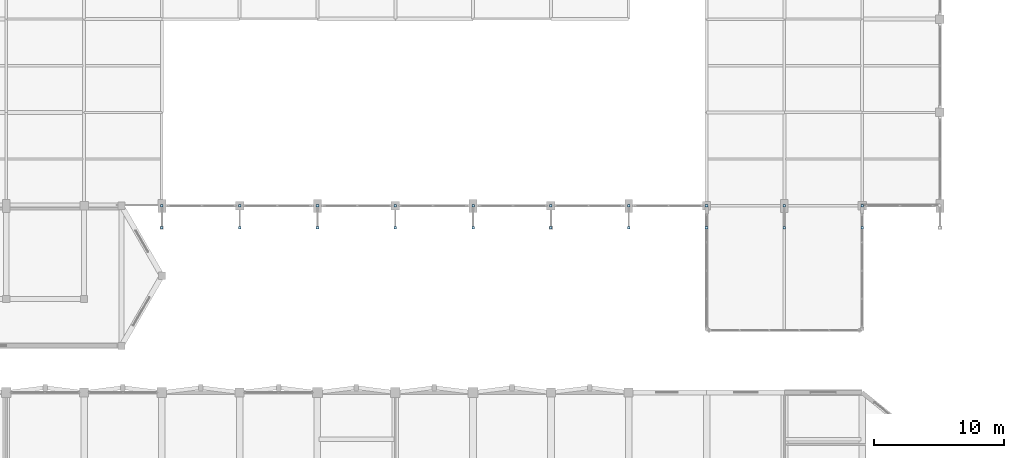
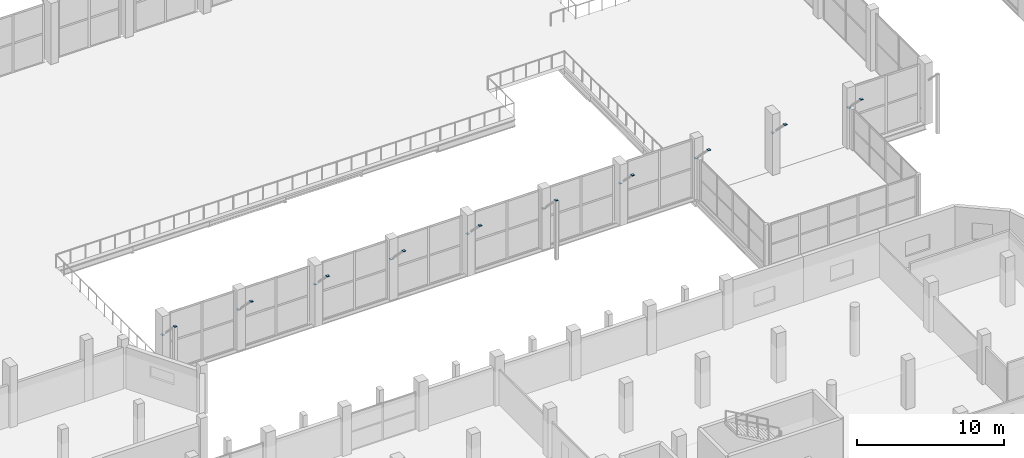
# One storey, part 100 of 127: 20 plates.
"""IFC4 building model written with IfcOpenShell, lengths in metres."""

from ifc_helpers import new_model, si_unit, direction, frame, origin, origin_2d, place, context, subcontext, project, spatial, rectangle, extrude, material, layer, layer_set, type_object, element, save


model = new_model("IFC4")

# Units and contexts
model_context = context("Model", 3, precision=1e-05, world=origin(), true_north=direction((0.0, 1.0)))
body_context = subcontext(model_context, "Body", "Model", "MODEL_VIEW")
ifc_project = project(units=[si_unit("LENGTHUNIT", "METRE"), si_unit("AREAUNIT", "SQUARE_METRE"), si_unit("VOLUMEUNIT", "CUBIC_METRE"), si_unit("PLANEANGLEUNIT", "RADIAN"), si_unit("MASSUNIT", "GRAM", prefix="KILO")], contexts=[model_context])

# Site, building, storey
site_placement = place(None, origin())
site = spatial("IfcSite", under=ifc_project, at=site_placement, CompositionType="ELEMENT")
building_placement = place(site_placement, origin())
building = spatial("IfcBuilding", under=site, at=building_placement, Name="Dunvalen Ferry Terminal", CompositionType="ELEMENT")
storey_placement = place(building_placement, frame((0.0, 0.0, 5.760009765625)))
storey = spatial("IfcBuildingStorey", under=building, at=storey_placement, Name="L01", CompositionType="ELEMENT", Elevation=5.760009765625)

# Plates
ifc_material = material(Name="Steel S355", Category="steel")
ifc_layer_1 = layer(ifc_material, 0.02001953125, Name="Steel S355")
ifc_layer_set_1 = layer_set([ifc_layer_1], Name="Steel S355")
plate_type_1 = type_object("IfcPlateType", Name="STR-PL-GUSSET-01", PredefinedType="USERDEFINED", material=ifc_layer_set_1)
for number, where, z_axis, x_axis, name in (
    (1, (36.0, 50.39990234375, 3.179931640625), (0.0, 0.0, 1.0), (1.0, 0.0, 0.0), "L01 Brace-Strut End Cleat Plate 111"),
    (2, (42.0, 50.39990234375, 3.179931640625), (0.0, 0.0, 1.0), (1.0, 0.0, 0.0), "L01 Brace-Strut End Cleat Plate 113"),
    (3, (48.0, 50.39990234375, 3.179931640625), (0.0, 0.0, 1.0), (1.0, 0.0, 0.0), "L01 Brace-Strut End Cleat Plate 117"),
    (4, (54.0, 50.39990234375, 3.179931640625), (0.0, 0.0, 1.0), (1.0, 0.0, 0.0), "L01 Brace-Strut End Cleat Plate 121"),
    (5, (60.0, 50.39990234375, 3.179931640625), (0.0, 0.0, 1.0), (1.0, 0.0, 0.0), "L01 Brace-Strut End Cleat Plate 125"),
    (6, (66.0, 50.39990234375, 3.179931640625), (0.0, 0.0, 1.0), (1.0, 0.0, 0.0), "L01 Brace-Strut End Cleat Plate 129"),
    (7, (72.0, 50.39990234375, 3.179931640625), (0.0, 0.0, 1.0), (1.0, 0.0, 0.0), "L01 Brace-Strut End Cleat Plate 133"),
    (8, (78.0, 50.39990234375, 3.179931640625), (0.0, 0.0, 1.0), (1.0, 0.0, 0.0), "L01 Brace-Strut End Cleat Plate 137"),
    (9, (84.0, 50.39990234375, 3.179931640625), (0.0, 0.0, 1.0), (1.0, 0.0, 0.0), "L01 Brace-Strut End Cleat Plate 141"),
    (10, (90.0, 50.39990234375, 3.179931640625), (0.0, 0.0, 1.0), (1.0, 0.0, 0.0), "L01 Brace-Strut End Cleat Plate 145"),
):
    element("IfcPlate", number, at=place(storey_placement, frame(where, z_axis=z_axis, x_axis=x_axis)), inside=storey, type_object=plate_type_1, Name=name, ObjectType="GUSSET PLATE", PredefinedType="USERDEFINED", context=body_context, shape_type="SweptSolid", body=[
        extrude(rectangle(XDim=0.199951171875, YDim=0.199951171875, at=origin_2d()), origin(), (0.0, 0.0, 1.0), 0.02001953125),
    ])
ifc_layer_2 = layer(ifc_material, 0.02587890625, Name="Steel S355")
ifc_layer_set_2 = layer_set([ifc_layer_2], Name="Steel S355")
plate_type_2 = type_object("IfcPlateType", Name="STR-PL-GUSSET-02", PredefinedType="USERDEFINED", material=ifc_layer_set_2)
for number, where, z_axis, x_axis, name in (
    (11, (36.0, 48.699951171875, 4.886962890625), (0.0, 0.0, 1.0), (1.0, 0.0, 0.0), "L01 Brace-Strut End Cleat Plate 112"),
    (12, (42.0, 48.699951171875, 4.886962890625), (0.0, 0.0, 1.0), (1.0, 0.0, 0.0), "L01 Brace-Strut End Cleat Plate 114"),
    (13, (48.0, 48.699951171875, 4.886962890625), (0.0, 0.0, 1.0), (1.0, 0.0, 0.0), "L01 Brace-Strut End Cleat Plate 118"),
    (14, (54.0, 48.699951171875, 4.886962890625), (0.0, 0.0, 1.0), (1.0, 0.0, 0.0), "L01 Brace-Strut End Cleat Plate 122"),
    (15, (60.0, 48.699951171875, 4.886962890625), (0.0, 0.0, 1.0), (1.0, 0.0, 0.0), "L01 Brace-Strut End Cleat Plate 126"),
    (16, (66.0, 48.699951171875, 4.886962890625), (0.0, 0.0, 1.0), (1.0, 0.0, 0.0), "L01 Brace-Strut End Cleat Plate 130"),
    (17, (72.0, 48.699951171875, 4.886962890625), (0.0, 0.0, 1.0), (1.0, 0.0, 0.0), "L01 Brace-Strut End Cleat Plate 134"),
    (18, (78.0, 48.699951171875, 4.886962890625), (0.0, 0.0, 1.0), (1.0, 0.0, 0.0), "L01 Brace-Strut End Cleat Plate 138"),
    (19, (84.0, 48.699951171875, 4.886962890625), (0.0, 0.0, 1.0), (1.0, 0.0, 0.0), "L01 Brace-Strut End Cleat Plate 142"),
    (20, (90.0, 48.699951171875, 4.886962890625), (0.0, 0.0, 1.0), (1.0, 0.0, 0.0), "L01 Brace-Strut End Cleat Plate 146"),
):
    element("IfcPlate", number, at=place(storey_placement, frame(where, z_axis=z_axis, x_axis=x_axis)), inside=storey, type_object=plate_type_2, Name=name, ObjectType="GUSSET PLATE", PredefinedType="USERDEFINED", context=body_context, shape_type="SweptSolid", body=[
        extrude(rectangle(XDim=0.199951171875, YDim=0.199951171875, at=origin_2d()), origin(), (0.0, 0.0, 1.0), 0.02587890625),
    ])

save(model, "model.ifc")
